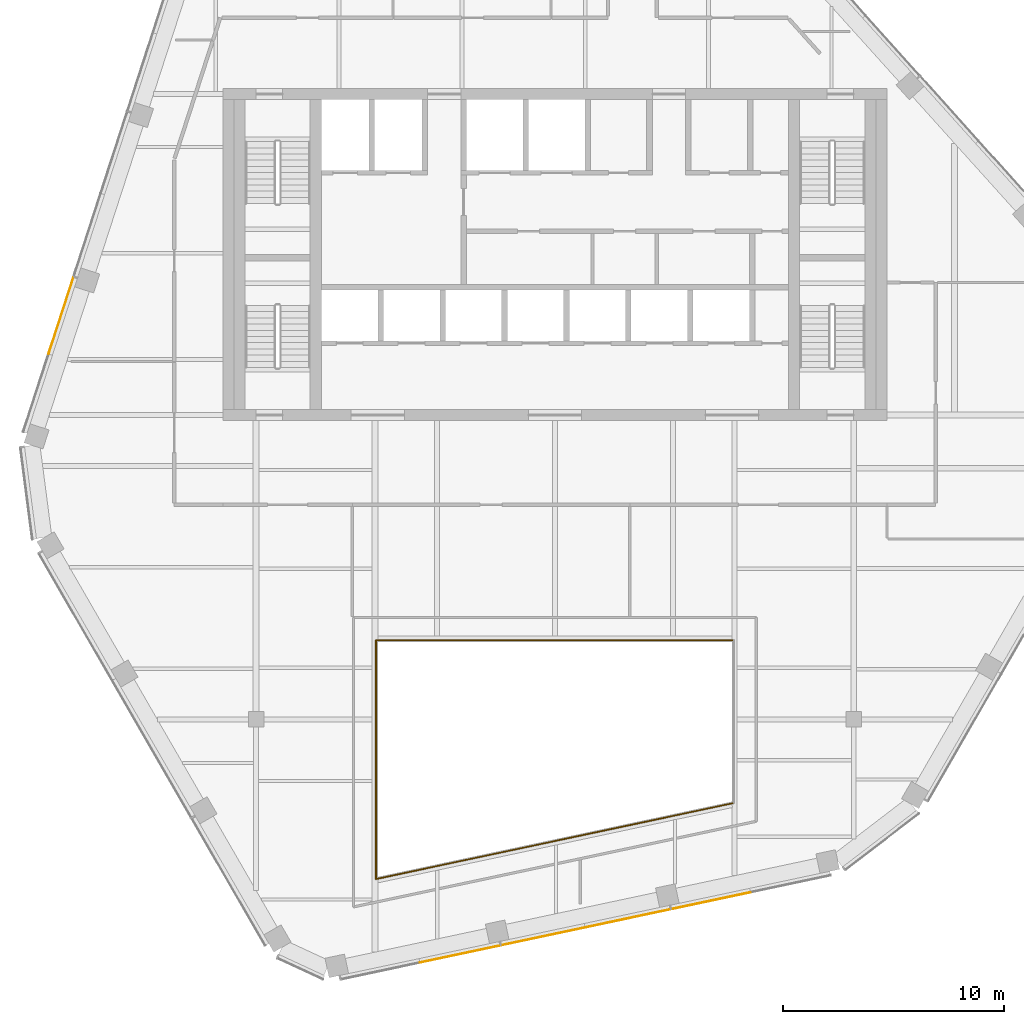
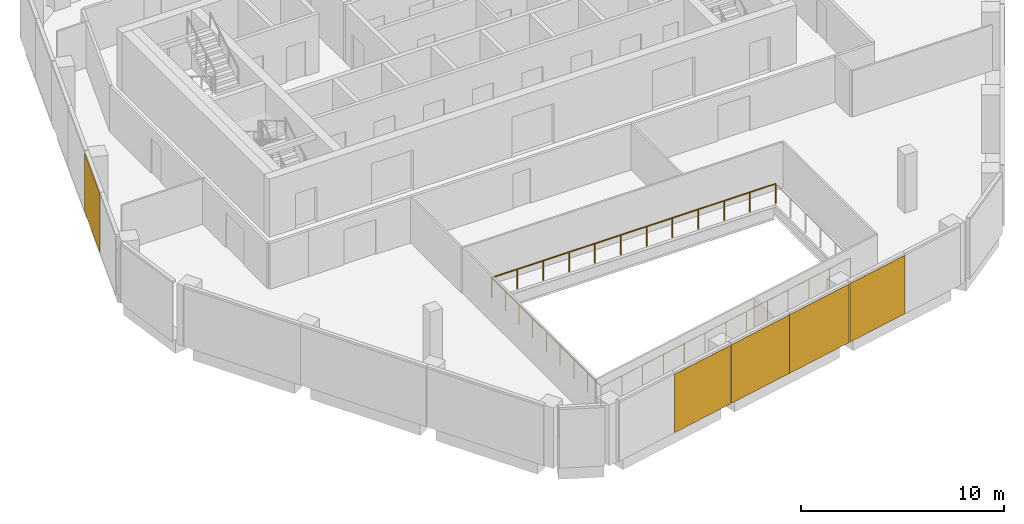
# One storey, part 11 of 15: 5 coverings, 3 railings, 2 elements without a shape of their own.
"""IFC4 building model written with IfcOpenShell, lengths in metres."""

from ifc_helpers import new_model, si_unit, direction, frame, origin, origin_2d, place, context, subcontext, project, spatial, rectangle, circle, extrude, material, layer, layer_set, type_object, element, aggregate, save


model = new_model("IFC4")

# Units and contexts
model_context = context("Model", 3, precision=1e-05, world=origin(), true_north=direction((0.0, 1.0)))
body_context = subcontext(model_context, "Body", "Model", "MODEL_VIEW")
ifc_project = project(units=[si_unit("LENGTHUNIT", "METRE"), si_unit("AREAUNIT", "SQUARE_METRE"), si_unit("VOLUMEUNIT", "CUBIC_METRE"), si_unit("PLANEANGLEUNIT", "RADIAN"), si_unit("MASSUNIT", "GRAM", prefix="KILO")], contexts=[model_context])

# Site, building, storey
site_placement = place(None, origin())
site = spatial("IfcSite", under=ifc_project, at=site_placement, CompositionType="ELEMENT")
building_placement = place(site_placement, origin())
building = spatial("IfcBuilding", under=site, at=building_placement, Name="Isthmus Gate Tower", CompositionType="ELEMENT")
storey_placement = place(building_placement, frame((0.0, 0.0, 271.89990234375)))
storey = spatial("IfcBuildingStorey", under=building, at=storey_placement, Name="L69", CompositionType="ELEMENT", Elevation=271.89990234375)

# Railings
ifc_material_1 = material(Name="Laminated toughened glass balustrade with steel rail", Category="steel")
railing_type = type_object("IfcRailingType", Name="ATRIUM GUARD GLASS BALUSTRADE 1200", PredefinedType="GUARDRAIL", material=ifc_material_1)
railing_1_placement = place(storey_placement, frame((-8.080078125, -20.7099609375, 0.0)))
element("IfcRailing", 1, at=railing_1_placement, inside=storey, type_object=railing_type, Name="L69 atrium guard", PredefinedType="GUARDRAIL", context=body_context, shape_type="SweptSolid", body=[
    extrude(circle(Radius=0.02490234375, at=origin_2d()), frame((0.0, 0.0, 1.1748046875), z_axis=(0.0, 1.0, 0.0), x_axis=(-1.0, 0.0, 0.0)), (0.0, 0.0, 1.0), 10.7900390625),
    extrude(circle(Radius=0.02490234375, at=origin_2d()), origin(), (0.0, 0.0, 1.0), 1.14990234375),
    extrude(circle(Radius=0.02490234375, at=origin_2d()), frame((0.0, 1.3486328125, 0.0)), (0.0, 0.0, 1.0), 1.14990234375),
    extrude(circle(Radius=0.02490234375, at=origin_2d()), frame((0.0, 2.697509765625, 0.0)), (0.0, 0.0, 1.0), 1.14990234375),
    extrude(circle(Radius=0.02490234375, at=origin_2d()), frame((0.0, 4.04638671875, 0.0)), (0.0, 0.0, 1.0), 1.14990234375),
    extrude(circle(Radius=0.02490234375, at=origin_2d()), frame((0.0, 5.39501953125, 0.0)), (0.0, 0.0, 1.0), 1.14990234375),
    extrude(circle(Radius=0.02490234375, at=origin_2d()), frame((0.0, 6.74365234375, 0.0)), (0.0, 0.0, 1.0), 1.14990234375),
    extrude(circle(Radius=0.02490234375, at=origin_2d()), frame((0.0, 8.092529296875, 0.0)), (0.0, 0.0, 1.0), 1.14990234375),
    extrude(circle(Radius=0.02490234375, at=origin_2d()), frame((0.0, 9.44140625, 0.0)), (0.0, 0.0, 1.0), 1.14990234375),
    extrude(circle(Radius=0.02490234375, at=origin_2d()), frame((0.0, 10.7900390625, 0.0)), (0.0, 0.0, 1.0), 1.14990234375),
])
railing_2_placement = place(storey_placement, frame((-8.080078125, -9.919921875, 0.0)))
element("IfcRailing", 2, at=railing_2_placement, inside=storey, type_object=railing_type, Name="L69 atrium guard", PredefinedType="GUARDRAIL", context=body_context, shape_type="SweptSolid", body=[
    extrude(circle(Radius=0.02490234375, at=origin_2d()), frame((0.0, 0.0, 1.1748046875), z_axis=(1.0, 0.0, 0.0), x_axis=(0.0, 1.0, 0.0)), (0.0, 0.0, 1.0), 16.16015625),
    extrude(circle(Radius=0.02490234375, at=origin_2d()), origin(), (0.0, 0.0, 1.0), 1.14990234375),
    extrude(circle(Radius=0.02490234375, at=origin_2d()), frame((1.468994140625, 0.0, 0.0)), (0.0, 0.0, 1.0), 1.14990234375),
    extrude(circle(Radius=0.02490234375, at=origin_2d()), frame((2.938232421875, 0.0, 0.0)), (0.0, 0.0, 1.0), 1.14990234375),
    extrude(circle(Radius=0.02490234375, at=origin_2d()), frame((4.4072265625, 0.0, 0.0)), (0.0, 0.0, 1.0), 1.14990234375),
    extrude(circle(Radius=0.02490234375, at=origin_2d()), frame((5.87646484375, 0.0, 0.0)), (0.0, 0.0, 1.0), 1.14990234375),
    extrude(circle(Radius=0.02490234375, at=origin_2d()), frame((7.345458984375, 0.0, 0.0)), (0.0, 0.0, 1.0), 1.14990234375),
    extrude(circle(Radius=0.02490234375, at=origin_2d()), frame((8.814697265625, 0.0, 0.0)), (0.0, 0.0, 1.0), 1.14990234375),
    extrude(circle(Radius=0.02490234375, at=origin_2d()), frame((10.28369140625, 0.0, 0.0)), (0.0, 0.0, 1.0), 1.14990234375),
    extrude(circle(Radius=0.02490234375, at=origin_2d()), frame((11.7529296875, 0.0, 0.0)), (0.0, 0.0, 1.0), 1.14990234375),
    extrude(circle(Radius=0.02490234375, at=origin_2d()), frame((13.221923828125, 0.0, 0.0)), (0.0, 0.0, 1.0), 1.14990234375),
    extrude(circle(Radius=0.02490234375, at=origin_2d()), frame((14.691162109375, 0.0, 0.0)), (0.0, 0.0, 1.0), 1.14990234375),
    extrude(circle(Radius=0.02490234375, at=origin_2d()), frame((16.16015625, 0.0, 0.0)), (0.0, 0.0, 1.0), 1.14990234375),
])
railing_3_placement = place(storey_placement, frame((8.080078125, -17.27490234375, 0.0)))
element("IfcRailing", 3, at=railing_3_placement, inside=storey, type_object=railing_type, Name="L69 atrium guard", PredefinedType="GUARDRAIL", context=body_context, shape_type="SweptSolid", body=[
    extrude(circle(Radius=0.02490234375, at=origin_2d()), frame((0.0, 0.0, 1.1748046875), z_axis=(-0.978146230105, -0.207918139013, 0.0), x_axis=(0.207918139013, -0.978146230105, 0.0)), (0.0, 0.0, 1.0), 16.521240234375),
    extrude(circle(Radius=0.02490234375, at=origin_2d()), origin(), (0.0, 0.0, 1.0), 1.14990234375),
    extrude(circle(Radius=0.02490234375, at=origin_2d()), frame((-1.3466796875, -0.2861328125, 0.0)), (0.0, 0.0, 1.0), 1.14990234375),
    extrude(circle(Radius=0.02490234375, at=origin_2d()), frame((-2.693359375, -0.572509765625, 0.0)), (0.0, 0.0, 1.0), 1.14990234375),
    extrude(circle(Radius=0.02490234375, at=origin_2d()), frame((-4.0400390625, -0.85888671875, 0.0)), (0.0, 0.0, 1.0), 1.14990234375),
    extrude(circle(Radius=0.02490234375, at=origin_2d()), frame((-5.38671875, -1.14501953125, 0.0)), (0.0, 0.0, 1.0), 1.14990234375),
    extrude(circle(Radius=0.02490234375, at=origin_2d()), frame((-6.7333984375, -1.43115234375, 0.0)), (0.0, 0.0, 1.0), 1.14990234375),
    extrude(circle(Radius=0.02490234375, at=origin_2d()), frame((-8.080078125, -1.717529296875, 0.0)), (0.0, 0.0, 1.0), 1.14990234375),
    extrude(circle(Radius=0.02490234375, at=origin_2d()), frame((-9.4267578125, -2.00390625, 0.0)), (0.0, 0.0, 1.0), 1.14990234375),
    extrude(circle(Radius=0.02490234375, at=origin_2d()), frame((-10.7734375, -2.2900390625, 0.0)), (0.0, 0.0, 1.0), 1.14990234375),
    extrude(circle(Radius=0.02490234375, at=origin_2d()), frame((-12.1201171875, -2.576171875, 0.0)), (0.0, 0.0, 1.0), 1.14990234375),
    extrude(circle(Radius=0.02490234375, at=origin_2d()), frame((-13.466796875, -2.862548828125, 0.0)), (0.0, 0.0, 1.0), 1.14990234375),
    extrude(circle(Radius=0.02490234375, at=origin_2d()), frame((-14.8134765625, -3.14892578125, 0.0)), (0.0, 0.0, 1.0), 1.14990234375),
    extrude(circle(Radius=0.02490234375, at=origin_2d()), frame((-16.16015625, -3.43505859375, 0.0)), (0.0, 0.0, 1.0), 1.14990234375),
])

# Curtain wall, covering
ifc_material_2 = material(Name="Aluminium, pale champagne anodised", Category="aluminium")
ifc_layer_1 = layer(ifc_material_2, 0.199951171875)
ifc_layer_set_1 = layer_set([ifc_layer_1], Name="CW-1 UNITISED CURTAIN WALL 200 DEEP")
curtain_wall_type = type_object("IfcCurtainWallType", Name="CW-1 UNITISED CURTAIN WALL 200 DEEP", PredefinedType="NOTDEFINED", material=ifc_layer_set_1)
curtain_wall_1_placement = place(storey_placement, origin())
curtain_wall_1 = element("IfcCurtainWall", 4, at=curtain_wall_1_placement, inside=storey, type_object=curtain_wall_type, Name="CW-1 NW L69", PredefinedType="NOTDEFINED")
ifc_material_3 = material(Name="Aluminium composite panel, pale champagne anodised", Category="aluminium")
ifc_layer_2 = layer(ifc_material_3, 0.031982421875)
ifc_layer_set_2 = layer_set([ifc_layer_2], Name="CW-1 PALE METAL PANEL 32")
covering_type = type_object("IfcCoveringType", Name="CW-1 PALE METAL PANEL 32", PredefinedType="CLADDING", material=ifc_layer_set_2)
covering_1_placement = place(storey_placement, frame((-22.309326171875, 4.737548828125, 0.0), z_axis=(0.0, 0.0, 1.0), x_axis=(-0.309016994375, -0.951056516295, 0.0)))
covering_1 = element("IfcCovering", 5, at=covering_1_placement, type_object=covering_type, Name="CW-1 pale metal panel", PredefinedType="CLADDING", context=body_context, shape_type="SweptSolid", body=[
    extrude(rectangle(XDim=3.643310546875, YDim=0.031982421875, at=origin_2d()), origin(), (0.0, 0.0, 1.0), 3.52001953125),
])
aggregate(curtain_wall_1, [covering_1])

# Curtain wall, coverings
curtain_wall_2_placement = place(storey_placement, origin())
curtain_wall_2 = element("IfcCurtainWall", 6, at=curtain_wall_2_placement, inside=storey, type_object=curtain_wall_type, Name="CW-1 S L69", PredefinedType="NOTDEFINED")
covering_2_placement = place(storey_placement, frame((-4.28515625, -24.098876953125, 0.0), z_axis=(0.0, 0.0, 1.0), x_axis=(0.978147600734, 0.207911690818, 0.0)))
covering_2 = element("IfcCovering", 7, at=covering_2_placement, type_object=covering_type, Name="CW-1 pale metal panel", PredefinedType="CLADDING", context=body_context, shape_type="SweptSolid", body=[
    extrude(rectangle(XDim=3.703369140625, YDim=0.031982421875, at=origin_2d()), origin(), (0.0, 0.0, 1.0), 3.52001953125),
])
covering_3_placement = place(storey_placement, frame((-0.5234375, -23.29931640625, 0.0), z_axis=(0.0, 0.0, 1.0), x_axis=(0.978147600734, 0.207911690818, 0.0)))
covering_3 = element("IfcCovering", 8, at=covering_3_placement, type_object=covering_type, Name="CW-1 pale metal panel", PredefinedType="CLADDING", context=body_context, shape_type="SweptSolid", body=[
    extrude(rectangle(XDim=3.868408203125, YDim=0.031982421875, at=origin_2d()), origin(), (0.0, 0.0, 1.0), 3.52001953125),
])
covering_4_placement = place(storey_placement, frame((3.289794921875, -22.48876953125, 0.0), z_axis=(0.0, 0.0, 1.0), x_axis=(0.978147600734, 0.207911690818, 0.0)))
covering_4 = element("IfcCovering", 9, at=covering_4_placement, type_object=covering_type, Name="CW-1 pale metal panel", PredefinedType="CLADDING", context=body_context, shape_type="SweptSolid", body=[
    extrude(rectangle(XDim=3.928466796875, YDim=0.031982421875, at=origin_2d()), origin(), (0.0, 0.0, 1.0), 3.52001953125),
])
covering_5_placement = place(storey_placement, frame((7.0517578125, -21.689208984375, 0.0), z_axis=(0.0, 0.0, 1.0), x_axis=(0.978147600734, 0.207911690818, 0.0)))
covering_5 = element("IfcCovering", 10, at=covering_5_placement, type_object=covering_type, Name="CW-1 pale metal panel", PredefinedType="CLADDING", context=body_context, shape_type="SweptSolid", body=[
    extrude(rectangle(XDim=3.643310546875, YDim=0.031982421875, at=origin_2d()), origin(), (0.0, 0.0, 1.0), 3.52001953125),
])
aggregate(curtain_wall_2, [covering_2, covering_3, covering_4, covering_5])

save(model, "model.ifc")
